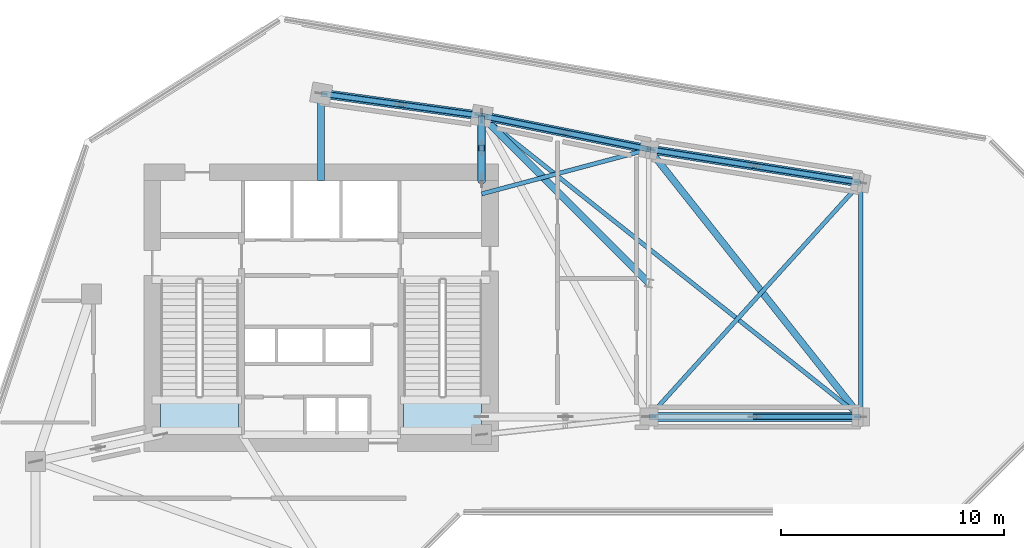
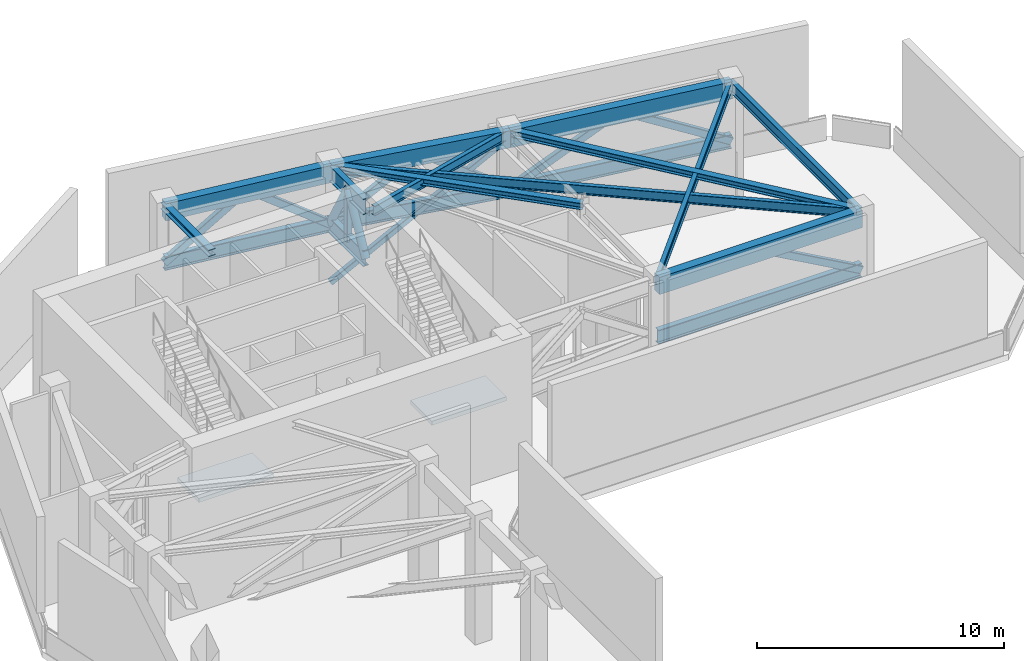
# One storey, part 3 of 10: 17 beams, 11 members, 2 slabs, 2 elements without a shape of their own.
"""IFC4 building model written with IfcOpenShell, lengths in metres."""

from ifc_helpers import new_model, si_unit, direction, frame, origin, origin_2d, place, context, subcontext, project, spatial, polyline, rectangle, hollow_rectangle, hollow_circle, i_section, outline, extrude, source, transform, mapped, material, layer, layer_set, material_profile, profile_set, type_object, element, aggregate, save


model = new_model("IFC4")

# Units and contexts
model_context = context("Model", 3, precision=1e-05, world=origin(), true_north=direction((0.0, 1.0)))
body_context = subcontext(model_context, "Body", "Model", "MODEL_VIEW")
ifc_project = project(units=[si_unit("LENGTHUNIT", "METRE"), si_unit("AREAUNIT", "SQUARE_METRE"), si_unit("VOLUMEUNIT", "CUBIC_METRE"), si_unit("PLANEANGLEUNIT", "RADIAN"), si_unit("MASSUNIT", "GRAM", prefix="KILO")], contexts=[model_context])

# Site, building, storey
site_placement = place(None, origin())
site = spatial("IfcSite", under=ifc_project, at=site_placement, CompositionType="ELEMENT")
building_placement = place(site_placement, origin())
building = spatial("IfcBuilding", under=site, at=building_placement, Name="Calvemar Wedge Station Tower", CompositionType="ELEMENT")
storey_placement = place(building_placement, frame((0.0, 0.0, 171.800048828125)))
storey = spatial("IfcBuildingStorey", under=building, at=storey_placement, Name="L43", CompositionType="ELEMENT", Elevation=171.800048828125)

# Beams
ifc_material_1 = material(Name="Concrete C60", Category="concrete")
ifc_material_profile_1 = material_profile(ifc_material_1, rectangle(XDim=0.39990234375, YDim=0.85009765625, at=origin_2d()), Name="RC400x850")
ifc_profile_set_1 = profile_set([ifc_material_profile_1], Name="Concrete C60")
beam_type_1 = type_object("IfcBeamType", Name="BM-SP1-850", PredefinedType="SPANDREL", material=ifc_profile_set_1)
shared_shape_1 = source(origin(), body_context, "Body", "SweptSolid", [
    extrude(rectangle(XDim=0.39990234375, YDim=0.85009765625, at=origin_2d()), origin(), (0.0, 0.0, 1.0), 7.26904296875),
])
beam_1_placement = place(storey_placement, frame((23.800048828125, 49.5, 5.675048828125), z_axis=(0.990492146053, -0.13756928657, 0.0), x_axis=(0.13756928657, 0.990492146053, 0.0)))
element("IfcBeam", 1, at=beam_1_placement, inside=storey, type_object=beam_type_1, Name="Storey L43 Spandrel T-N1-T-N2", PredefinedType="SPANDREL", context=body_context, shape_type="MappedRepresentation", body=[
    mapped(shared_shape_1, transform((0.0, 0.0, 0.0), scale=1.0)),
])
shared_shape_2 = source(origin(), body_context, "Body", "SweptSolid", [
    extrude(rectangle(XDim=0.39990234375, YDim=0.85009765625, at=origin_2d()), origin(), (0.0, 0.0, 1.0), 7.6484375),
])
beam_2_placement = place(storey_placement, frame((31.0, 48.5, 5.675048828125), z_axis=(0.980580675691, -0.196116135138, 0.0), x_axis=(0.196116135138, 0.980580675691, 0.0)))
element("IfcBeam", 2, at=beam_2_placement, inside=storey, type_object=beam_type_1, Name="Storey L43 Spandrel T-N2-T-NU3", PredefinedType="SPANDREL", context=body_context, shape_type="MappedRepresentation", body=[
    mapped(shared_shape_2, transform((0.0, 0.0, 0.0), scale=1.0)),
])
shared_shape_3 = source(origin(), body_context, "Body", "SweptSolid", [
    extrude(rectangle(XDim=0.39990234375, YDim=0.85009765625, at=origin_2d()), origin(), (0.0, 0.0, 1.0), 9.61767578125),
])
beam_3_placement = place(storey_placement, frame((38.5, 47.0, 5.675048828125), z_axis=(0.987762965329, -0.155962573473, 0.0), x_axis=(0.155962573473, 0.987762965329, 0.0)))
element("IfcBeam", 3, at=beam_3_placement, inside=storey, type_object=beam_type_1, Name="Storey L43 Spandrel T-NU3-T-NU4", PredefinedType="SPANDREL", context=body_context, shape_type="MappedRepresentation", body=[
    mapped(shared_shape_3, transform((0.0, 0.0, 0.0), scale=1.0)),
])
shared_shape_4 = source(origin(), body_context, "Body", "SweptSolid", [
    extrude(rectangle(XDim=0.39990234375, YDim=0.85009765625, at=origin_2d()), origin(), (0.0, 0.0, 1.0), 9.5),
])
beam_4_placement = place(storey_placement, frame((38.5, 35.0, 5.675048828125), z_axis=(1.0, 0.0, 0.0), x_axis=(0.0, 1.0, 0.0)))
element("IfcBeam", 4, at=beam_4_placement, inside=storey, type_object=beam_type_1, Name="Storey L43 Spandrel T-NL2-T-NL3", PredefinedType="SPANDREL", context=body_context, shape_type="MappedRepresentation", body=[
    mapped(shared_shape_4, transform((0.0, 0.0, 0.0), scale=1.0)),
])
ifc_material_2 = material(Name="Structural steel ASTM A572 Grade 50", Category="steel")
ifc_material_profile_2 = material_profile(ifc_material_2, i_section(OverallWidth=0.19189453125, OverallDepth=0.462890625, WebThickness=0.010498046875, FlangeThickness=0.017578125, FilletRadius=0.012939453125, at=origin_2d()), Name="W460x89")
ifc_profile_set_2 = profile_set([ifc_material_profile_2], Name="Structural steel ASTM A572 Grade 50")
beam_type_2 = type_object("IfcBeamType", Name="BM-J1-W460", PredefinedType="JOIST", material=ifc_profile_set_2)
shared_shape_5 = source(origin(), body_context, "Body", "SweptSolid", [
    extrude(i_section(OverallWidth=0.19189453125, OverallDepth=0.462890625, WebThickness=0.010498046875, FlangeThickness=0.017578125, FilletRadius=0.012939453125, at=origin_2d()), origin(), (0.0, 0.0, 1.0), 21.708251953125),
])
beam_5_placement = place(storey_placement, frame((31.0, 48.5, 5.868408203125), z_axis=(0.783110847498, -0.621882143602, 0.0), x_axis=(0.621882143602, 0.783110847498, 0.0)))
element("IfcBeam", 5, at=beam_5_placement, inside=storey, type_object=beam_type_2, Name="Storey L43 Floor Beam T-N2-T-NL3", PredefinedType="JOIST", context=body_context, shape_type="MappedRepresentation", body=[
    mapped(shared_shape_5, transform((0.0, 0.0, 0.0), scale=1.0)),
])
ifc_material_profile_3 = material_profile(ifc_material_2, i_section(OverallWidth=0.30908203125, OverallDepth=0.322998046875, WebThickness=0.013916015625, FlangeThickness=0.02294921875, FilletRadius=0.014892578125, at=origin_2d()), Name="W310x143")
ifc_profile_set_3 = profile_set([ifc_material_profile_3], Name="Structural steel ASTM A572 Grade 50")
beam_type_3 = type_object("IfcBeamType", Name="BM-J5-W310H", PredefinedType="JOIST", material=ifc_profile_set_3)
shared_shape_6 = source(origin(), body_context, "Body", "SweptSolid", [
    extrude(i_section(OverallWidth=0.30908203125, OverallDepth=0.322998046875, WebThickness=0.013916015625, FlangeThickness=0.02294921875, FilletRadius=0.014892578125, at=origin_2d()), origin(), (0.0, 0.0, 1.0), 15.30517578125),
])
beam_6_placement = place(storey_placement, frame((38.5, 47.0, 5.9384765625), z_axis=(0.620702944366, -0.784045824462, 0.0), x_axis=(0.784045824462, 0.620702944366, 0.0)))
element("IfcBeam", 6, at=beam_6_placement, inside=storey, type_object=beam_type_3, Name="Storey L43 Floor Beam T-NU3-T-NL3", PredefinedType="JOIST", context=body_context, shape_type="MappedRepresentation", body=[
    mapped(shared_shape_6, transform((0.0, 0.0, 0.0), scale=1.0)),
])
shared_shape_7 = source(origin(), body_context, "Body", "SweptSolid", [
    extrude(i_section(OverallWidth=0.19189453125, OverallDepth=0.462890625, WebThickness=0.010498046875, FlangeThickness=0.017578125, FilletRadius=0.012939453125, at=origin_2d()), origin(), (0.0, 0.0, 1.0), 14.159912109375),
])
beam_7_placement = place(storey_placement, frame((38.5, 35.0, 5.868408203125), z_axis=(0.670913323969, 0.741535779124, 0.0), x_axis=(-0.741535779124, 0.670913323969, 0.0)))
element("IfcBeam", 7, at=beam_7_placement, inside=storey, type_object=beam_type_2, Name="Storey L43 Floor Beam T-NL2-T-NU4", PredefinedType="JOIST", context=body_context, shape_type="MappedRepresentation", body=[
    mapped(shared_shape_7, transform((0.0, 0.0, 0.0), scale=1.0)),
])
shared_shape_8 = source(origin(), body_context, "Body", "SweptSolid", [
    extrude(i_section(OverallWidth=0.19189453125, OverallDepth=0.462890625, WebThickness=0.010498046875, FlangeThickness=0.017578125, FilletRadius=0.012939453125, at=origin_2d()), origin(), (0.0, 0.0, 1.0), 7.76220703125),
])
beam_8_placement = place(storey_placement, frame((31.0, 45.0, 5.868408203125), z_axis=(0.966234939601, 0.25766265056, 0.0), x_axis=(-0.25766265056, 0.966234939601, 0.0)))
element("IfcBeam", 8, at=beam_8_placement, inside=storey, type_object=beam_type_2, Name="Storey L43 Core-to-Column Joist CJ-E2", PredefinedType="JOIST", context=body_context, shape_type="MappedRepresentation", body=[
    mapped(shared_shape_8, transform((0.0, 0.0, 0.0), scale=1.0)),
])
shared_shape_9 = source(origin(), body_context, "Body", "SweptSolid", [
    extrude(i_section(OverallWidth=0.30908203125, OverallDepth=0.322998046875, WebThickness=0.013916015625, FlangeThickness=0.02294921875, FilletRadius=0.014892578125, at=origin_2d()), origin(), (0.0, 0.0, 1.0), 3.89990234375),
])
beam_9_placement = place(storey_placement, frame((23.800048828125, 45.60009765625, 5.9384765625), z_axis=(0.0, 1.0, 0.0), x_axis=(-1.0, 0.0, 0.0)))
element("IfcBeam", 9, at=beam_9_placement, inside=storey, type_object=beam_type_3, Name="Storey L43 Core-to-Column Joist CJ-N1", PredefinedType="JOIST", context=body_context, shape_type="MappedRepresentation", body=[
    mapped(shared_shape_9, transform((0.0, 0.0, 0.0), scale=1.0)),
])
ifc_material_profile_4 = material_profile(ifc_material_2, i_section(OverallWidth=0.27001953125, OverallDepth=0.77294921875, WebThickness=0.018798828125, FlangeThickness=0.0322265625, FilletRadius=0.01806640625, at=origin_2d()), Name="W760x257")
ifc_profile_set_4 = profile_set([ifc_material_profile_4], Name="Structural steel ASTM A572 Grade 50")
beam_type_4 = type_object("IfcBeamType", Name="BM-OT1-W760", PredefinedType="BEAM", material=ifc_profile_set_4)
shared_shape_10 = source(origin(), body_context, "Body", "SweptSolid", [
    extrude(i_section(OverallWidth=0.27001953125, OverallDepth=0.77294921875, WebThickness=0.018798828125, FlangeThickness=0.0322265625, FilletRadius=0.01806640625, at=origin_2d()), origin(), (0.0, 0.0, 1.0), 2.89990234375),
])
for number, where, z_axis, x_axis, name in (
    (10, (31.0, 45.60009765625, 3.136474609375), (0.0, 1.0, 0.0), (-1.0, 0.0, 0.0), "L43 Outrigger OT-N Bottom Chord"),
    (11, (31.0, 45.60009765625, 5.71337890625), (0.0, 1.0, 0.0), (-1.0, 0.0, 0.0), "L43 Outrigger OT-N Top Chord"),
):
    element("IfcBeam", number, at=place(storey_placement, frame(where, z_axis=z_axis, x_axis=x_axis)), inside=storey, type_object=beam_type_4, Name=name, PredefinedType="BEAM", context=body_context, shape_type="MappedRepresentation", body=[
        mapped(shared_shape_10, transform((0.0, 0.0, 0.0), scale=1.0)),
    ])
ifc_material_profile_5 = material_profile(ifc_material_2, i_section(OverallWidth=0.25390625, OverallDepth=0.68798828125, WebThickness=0.015380859375, FlangeThickness=0.02783203125, FilletRadius=0.014892578125, at=origin_2d()), Name="W690x192")
ifc_profile_set_5 = profile_set([ifc_material_profile_5], Name="Structural steel ASTM A572 Grade 50")
beam_type_5 = type_object("IfcBeamType", Name="BM-BT1-W690", PredefinedType="BEAM", material=ifc_profile_set_5)
shared_shape_11 = source(origin(), body_context, "Body", "SweptSolid", [
    extrude(i_section(OverallWidth=0.25390625, OverallDepth=0.68798828125, WebThickness=0.015380859375, FlangeThickness=0.02783203125, FilletRadius=0.014892578125, at=origin_2d()), origin(), (0.0, 0.0, 1.0), 7.26904296875),
])
beam_10_placement = place(storey_placement, frame((23.800048828125, 49.5, 3.093994140625), z_axis=(0.990492146053, -0.13756928657, 0.0), x_axis=(0.13756928657, 0.990492146053, 0.0)))
element("IfcBeam", 12, at=beam_10_placement, inside=storey, type_object=beam_type_5, Name="L43 Belt Truss Bottom Chord 1", PredefinedType="BEAM", context=body_context, shape_type="MappedRepresentation", body=[
    mapped(shared_shape_11, transform((0.0, 0.0, 0.0), scale=1.0)),
])

# Member
ifc_material_profile_6 = material_profile(ifc_material_2, hollow_rectangle(XDim=0.25, YDim=0.35009765625, WallThickness=0.01611328125, InnerFilletRadius=0.01611328125, OuterFilletRadius=0.031982421875, at=origin_2d()), Name="HSS350x250x16")
ifc_profile_set_6 = profile_set([ifc_material_profile_6], Name="Structural steel ASTM A572 Grade 50")
member_type_1 = type_object("IfcMemberType", Name="MEM-D7-HSS350", PredefinedType="BRACE", material=ifc_profile_set_6)
shared_shape_12 = source(origin(), body_context, "Body", "SweptSolid", [
    extrude(hollow_rectangle(XDim=0.25, YDim=0.35009765625, WallThickness=0.01611328125, InnerFilletRadius=0.01611328125, OuterFilletRadius=0.031982421875, at=origin_2d()), origin(), (0.0, 0.0, 1.0), 4.505126953125),
])
member_1_placement = place(storey_placement, frame((27.39990234375, 49.0, 5.755859375), z_axis=(0.799110058765, -0.110984497515, -0.590851550977), x_axis=(0.137564710214, 0.990492781651, 0.0)))
element("IfcMember", 13, at=member_1_placement, inside=storey, type_object=member_type_1, Name="L43 Belt Truss Chevron 1B", PredefinedType="BRACE", context=body_context, shape_type="MappedRepresentation", body=[
    mapped(shared_shape_12, transform((0.0, 0.0, 0.0), scale=1.0)),
])

# Beams
shared_shape_13 = source(origin(), body_context, "Body", "SweptSolid", [
    extrude(i_section(OverallWidth=0.25390625, OverallDepth=0.68798828125, WebThickness=0.015380859375, FlangeThickness=0.02783203125, FilletRadius=0.014892578125, at=origin_2d()), origin(), (0.0, 0.0, 1.0), 7.6484375),
])
beam_11_placement = place(storey_placement, frame((31.0, 48.5, 3.093994140625), z_axis=(0.980580675691, -0.196116135138, 0.0), x_axis=(0.196116135138, 0.980580675691, 0.0)))
element("IfcBeam", 14, at=beam_11_placement, inside=storey, type_object=beam_type_5, Name="L43 Belt Truss Bottom Chord 2", PredefinedType="BEAM", context=body_context, shape_type="MappedRepresentation", body=[
    mapped(shared_shape_13, transform((0.0, 0.0, 0.0), scale=1.0)),
])
shared_shape_14 = source(origin(), body_context, "Body", "SweptSolid", [
    extrude(i_section(OverallWidth=0.25390625, OverallDepth=0.68798828125, WebThickness=0.015380859375, FlangeThickness=0.02783203125, FilletRadius=0.014892578125, at=origin_2d()), origin(), (0.0, 0.0, 1.0), 9.61767578125),
])
beam_12_placement = place(storey_placement, frame((38.5, 47.0, 3.093994140625), z_axis=(0.987762965329, -0.155962573473, 0.0), x_axis=(0.155962573473, 0.987762965329, 0.0)))
element("IfcBeam", 15, at=beam_12_placement, inside=storey, type_object=beam_type_5, Name="L43 Belt Truss Bottom Chord 3", PredefinedType="BEAM", context=body_context, shape_type="MappedRepresentation", body=[
    mapped(shared_shape_14, transform((0.0, 0.0, 0.0), scale=1.0)),
])
shared_shape_15 = source(origin(), body_context, "Body", "SweptSolid", [
    extrude(i_section(OverallWidth=0.25390625, OverallDepth=0.68798828125, WebThickness=0.015380859375, FlangeThickness=0.02783203125, FilletRadius=0.014892578125, at=origin_2d()), origin(), (0.0, 0.0, 1.0), 9.5),
])
beam_13_placement = place(storey_placement, frame((38.5, 35.0, 3.093994140625), z_axis=(1.0, 0.0, 0.0), x_axis=(0.0, 1.0, 0.0)))
element("IfcBeam", 16, at=beam_13_placement, inside=storey, type_object=beam_type_5, Name="L43 Belt Truss Bottom Chord 5", PredefinedType="BEAM", context=body_context, shape_type="MappedRepresentation", body=[
    mapped(shared_shape_15, transform((0.0, 0.0, 0.0), scale=1.0)),
])

# Member
shared_shape_16 = source(origin(), body_context, "Body", "SweptSolid", [
    extrude(hollow_rectangle(XDim=0.25, YDim=0.35009765625, WallThickness=0.01611328125, InnerFilletRadius=0.01611328125, OuterFilletRadius=0.031982421875, at=origin_2d()), origin(), (0.0, 0.0, 1.0), 5.445068359375),
])
member_2_placement = place(storey_placement, frame((43.25, 35.0, 5.755859375), z_axis=(0.872359940819, 0.0, -0.488864125964), x_axis=(0.0, 1.0, 0.0)))
element("IfcMember", 17, at=member_2_placement, inside=storey, type_object=member_type_1, Name="L43 Belt Truss Chevron 5B", PredefinedType="BRACE", context=body_context, shape_type="MappedRepresentation", body=[
    mapped(shared_shape_16, transform((0.0, 0.0, 0.0), scale=1.0)),
])

# Beams
ifc_material_profile_7 = material_profile(ifc_material_2, i_section(OverallWidth=0.2109375, OverallDepth=0.5390625, WebThickness=0.01171875, FlangeThickness=0.018798828125, FilletRadius=0.012939453125, at=origin_2d()), Name="W530x109")
ifc_profile_set_7 = profile_set([ifc_material_profile_7], Name="Structural steel ASTM A572 Grade 50")
beam_type_6 = type_object("IfcBeamType", Name="BM-SB4-W530", PredefinedType="BEAM", material=ifc_profile_set_7)
shared_shape_17 = source(origin(), body_context, "Body", "SweptSolid", [
    extrude(i_section(OverallWidth=0.2109375, OverallDepth=0.5390625, WebThickness=0.01171875, FlangeThickness=0.018798828125, FilletRadius=0.012939453125, at=origin_2d()), origin(), (0.0, 0.0, 1.0), 10.5),
])
beam_14_placement = place(storey_placement, frame((48.0, 45.5, 5.83056640625), z_axis=(0.0, -1.0, 0.0), x_axis=(1.0, 0.0, 0.0)))
element("IfcBeam", 18, at=beam_14_placement, inside=storey, type_object=beam_type_6, Name="Storey L43 Floor Beam T-NU4-T-NL3", PredefinedType="BEAM", context=body_context, shape_type="MappedRepresentation", body=[
    mapped(shared_shape_17, transform((0.0, 0.0, 0.0), scale=1.0)),
])
shared_shape_18 = source(origin(), body_context, "Body", "SweptSolid", [
    extrude(i_section(OverallWidth=0.30908203125, OverallDepth=0.322998046875, WebThickness=0.013916015625, FlangeThickness=0.02294921875, FilletRadius=0.014892578125, at=origin_2d()), origin(), (0.0, 0.0, 1.0), 10.606689453125),
])
beam_15_placement = place(storey_placement, frame((38.5, 41.0, 5.9384765625), z_axis=(-0.707106781187, 0.707106781187, 0.0), x_axis=(-0.707106781187, -0.707106781187, 0.0)))
element("IfcBeam", 19, at=beam_15_placement, inside=storey, type_object=beam_type_3, Name="Storey L43 Floor Beam T-NTIP-B-T-N2", PredefinedType="JOIST", context=body_context, shape_type="MappedRepresentation", body=[
    mapped(shared_shape_18, transform((0.0, 0.0, 0.0), scale=1.0)),
])

# Members
ifc_material_profile_8 = material_profile(ifc_material_2, hollow_rectangle(XDim=0.25, YDim=0.25, WallThickness=0.01611328125, InnerFilletRadius=0.01611328125, OuterFilletRadius=0.031982421875, at=origin_2d()), Name="HSS250x250x16")
ifc_profile_set_8 = profile_set([ifc_material_profile_8], Name="Structural steel ASTM A572 Grade 50")
member_type_2 = type_object("IfcMemberType", Name="MEM-ST2-HSS250", PredefinedType="STRUT", material=ifc_profile_set_8)
shared_shape_19 = source(origin(), body_context, "Body", "SweptSolid", [
    extrude(hollow_rectangle(XDim=0.25, YDim=0.25, WallThickness=0.01611328125, InnerFilletRadius=0.01611328125, OuterFilletRadius=0.031982421875, at=origin_2d()), origin(), (0.0, 0.0, 1.0), 9.40625),
])
member_3_placement = place(storey_placement, frame((31.0, 48.5, 0.199951171875), z_axis=(0.79734599893, -0.159469199786, 0.582072961328), x_axis=(0.196116135138, 0.980580675691, 0.0)))
element("IfcMember", 20, at=member_3_placement, inside=storey, type_object=member_type_2, Name="L43 Setback Diagonal Transfer Strut T-N2-T-NU3", PredefinedType="STRUT", context=body_context, shape_type="MappedRepresentation", body=[
    mapped(shared_shape_19, transform((0.0, 0.0, 0.0), scale=1.0)),
])
shared_shape_20 = source(origin(), body_context, "Body", "SweptSolid", [
    extrude(hollow_rectangle(XDim=0.25, YDim=0.25, WallThickness=0.01611328125, InnerFilletRadius=0.01611328125, OuterFilletRadius=0.031982421875, at=origin_2d()), origin(), (0.0, 0.0, 1.0), 2.576904296875),
])
member_4_placement = place(storey_placement, frame((31.0, 47.050048828125, 3.136474609375), z_axis=(0.0, 0.0, 1.0), x_axis=(1.0, 0.0, 0.0)))
element("IfcMember", 21, at=member_4_placement, inside=storey, type_object=member_type_2, Name="L43 Outrigger OT-N Strut", PredefinedType="STRUT", context=body_context, shape_type="MappedRepresentation", body=[
    mapped(shared_shape_20, transform((0.0, 0.0, 0.0), scale=1.0)),
])
ifc_material_profile_9 = material_profile(ifc_material_2, hollow_circle(Radius=0.177734375, WallThickness=0.02001953125, at=origin_2d()), Name="CHS355.6x20")
ifc_profile_set_9 = profile_set([ifc_material_profile_9], Name="Structural steel ASTM A572 Grade 50")
member_type_3 = type_object("IfcMemberType", Name="MEM-D4-CHS355", PredefinedType="BRACE", material=ifc_profile_set_9)
shared_shape_21 = source(origin(), body_context, "Body", "SweptSolid", [
    extrude(hollow_circle(Radius=0.177734375, WallThickness=0.02001953125, at=origin_2d()), origin(), (0.0, 0.0, 1.0), 2.956787109375),
])
for number, where, z_axis, x_axis, name in (
    (22, (31.0, 45.60009765625, 3.136474609375), (0.0, 0.49037492042, 0.871511581921), (-1.0, 0.0, 0.0), "L43 Outrigger OT-N Diagonal 1"),
    (23, (31.0, 47.050048828125, 5.71337890625), (0.0, 0.49037492042, -0.871511581921), (-1.0, 0.0, 0.0), "L43 Outrigger OT-N Diagonal 2"),
):
    element("IfcMember", number, at=place(storey_placement, frame(where, z_axis=z_axis, x_axis=x_axis)), inside=storey, type_object=member_type_3, Name=name, PredefinedType="BRACE", context=body_context, shape_type="MappedRepresentation", body=[
        mapped(shared_shape_21, transform((0.0, 0.0, 0.0), scale=1.0)),
    ])
shared_shape_22 = source(origin(), body_context, "Body", "SweptSolid", [
    extrude(hollow_rectangle(XDim=0.25, YDim=0.35009765625, WallThickness=0.01611328125, InnerFilletRadius=0.01611328125, OuterFilletRadius=0.031982421875, at=origin_2d()), origin(), (0.0, 0.0, 1.0), 4.5048828125),
])
member_5_placement = place(storey_placement, frame((23.800048828125, 49.5, 3.093994140625), z_axis=(0.799090471378, -0.110989303858, 0.590877138653), x_axis=(0.137573863227, 0.990491510391, 0.0)))
element("IfcMember", 24, at=member_5_placement, inside=storey, type_object=member_type_1, Name="L43 Belt Truss Chevron 1A", PredefinedType="BRACE", context=body_context, shape_type="MappedRepresentation", body=[
    mapped(shared_shape_22, transform((0.0, 0.0, 0.0), scale=1.0)),
])
shared_shape_23 = source(origin(), body_context, "Body", "SweptSolid", [
    extrude(hollow_rectangle(XDim=0.25, YDim=0.35009765625, WallThickness=0.01611328125, InnerFilletRadius=0.01611328125, OuterFilletRadius=0.031982421875, at=origin_2d()), origin(), (0.0, 0.0, 1.0), 4.659423828125),
])
for number, where, z_axis, x_axis, name in (
    (25, (31.0, 48.5, 3.093994140625), (0.804815051087, -0.160963010217, 0.571282454558), (0.196116135138, 0.980580675691, 0.0), "L43 Belt Truss Chevron 2A"),
    (26, (34.75, 47.75, 5.755859375), (0.804815051087, -0.160963010217, -0.571282454558), (0.196116135138, 0.980580675691, 0.0), "L43 Belt Truss Chevron 2B"),
):
    element("IfcMember", number, at=place(storey_placement, frame(where, z_axis=z_axis, x_axis=x_axis)), inside=storey, type_object=member_type_1, Name=name, PredefinedType="BRACE", context=body_context, shape_type="MappedRepresentation", body=[
        mapped(shared_shape_23, transform((0.0, 0.0, 0.0), scale=1.0)),
    ])
shared_shape_24 = source(origin(), body_context, "Body", "SweptSolid", [
    extrude(hollow_rectangle(XDim=0.25, YDim=0.35009765625, WallThickness=0.01611328125, InnerFilletRadius=0.01611328125, OuterFilletRadius=0.031982421875, at=origin_2d()), origin(), (0.0, 0.0, 1.0), 5.496337890625),
])
for number, where, z_axis, x_axis, name in (
    (27, (38.5, 47.0, 3.093994140625), (0.864200398807, -0.136452694549, 0.484291578341), (0.155962573473, 0.987762965329, 0.0), "L43 Belt Truss Chevron 3A"),
    (28, (43.25, 46.25, 5.755859375), (0.864200398807, -0.136452694549, -0.484291578341), (0.155962573473, 0.987762965329, 0.0), "L43 Belt Truss Chevron 3B"),
):
    element("IfcMember", number, at=place(storey_placement, frame(where, z_axis=z_axis, x_axis=x_axis)), inside=storey, type_object=member_type_1, Name=name, PredefinedType="BRACE", context=body_context, shape_type="MappedRepresentation", body=[
        mapped(shared_shape_24, transform((0.0, 0.0, 0.0), scale=1.0)),
    ])

# Stair, slab
ifc_material_3 = material(Name="Concrete C45", Category="concrete")
stair_type = type_object("IfcStairType", Name="ST-TYPE-6400", PredefinedType="HALF_TURN_STAIR", material=ifc_material_3)
stair_1_placement = place(storey_placement, origin())
stair_1 = element("IfcStair", 29, at=stair_1_placement, inside=storey, type_object=stair_type, Name="L43 Pressurized Core Exit Stair ST-C1", PredefinedType="HALF_TURN_STAIR")
ifc_layer = layer(ifc_material_3, 0.199951171875)
ifc_layer_set = layer_set([ifc_layer], Name="Concrete C45")
slab_type = type_object("IfcSlabType", Name="SL-STAIR-LND-200", PredefinedType="LANDING", material=ifc_layer_set)
slab_1_placement = place(storey_placement, frame((0.0, 0.0, 3.0)))
slab_1 = element("IfcSlab", 30, at=slab_1_placement, type_object=slab_type, Name="ST-C1 landing 1", PredefinedType="LANDING", context=body_context, shape_type="SweptSolid", body=[
    extrude(outline(polyline([(16.60009765625, 35.929931640625), (16.60009765625, 34.199951171875), (20.10009765625, 34.199951171875), (20.10009765625, 35.929931640625), (16.60009765625, 35.929931640625)])), origin(), (0.0, 0.0, 1.0), 0.199951171875),
])
aggregate(stair_1, [slab_1])

stair_2_placement = place(storey_placement, origin())
stair_2 = element("IfcStair", 31, at=stair_2_placement, inside=storey, type_object=stair_type, Name="L43 Pressurized Core Exit Stair ST-C2", PredefinedType="HALF_TURN_STAIR")
slab_2_placement = place(storey_placement, frame((0.0, 0.0, 3.0)))
slab_2 = element("IfcSlab", 32, at=slab_2_placement, type_object=slab_type, Name="ST-C2 landing 1", PredefinedType="LANDING", context=body_context, shape_type="SweptSolid", body=[
    extrude(outline(polyline([(27.5, 35.929931640625), (27.5, 34.199951171875), (31.0, 34.199951171875), (31.0, 35.929931640625), (27.5, 35.929931640625)])), origin(), (0.0, 0.0, 1.0), 0.199951171875),
])
aggregate(stair_2, [slab_2])

save(model, "model.ifc")
